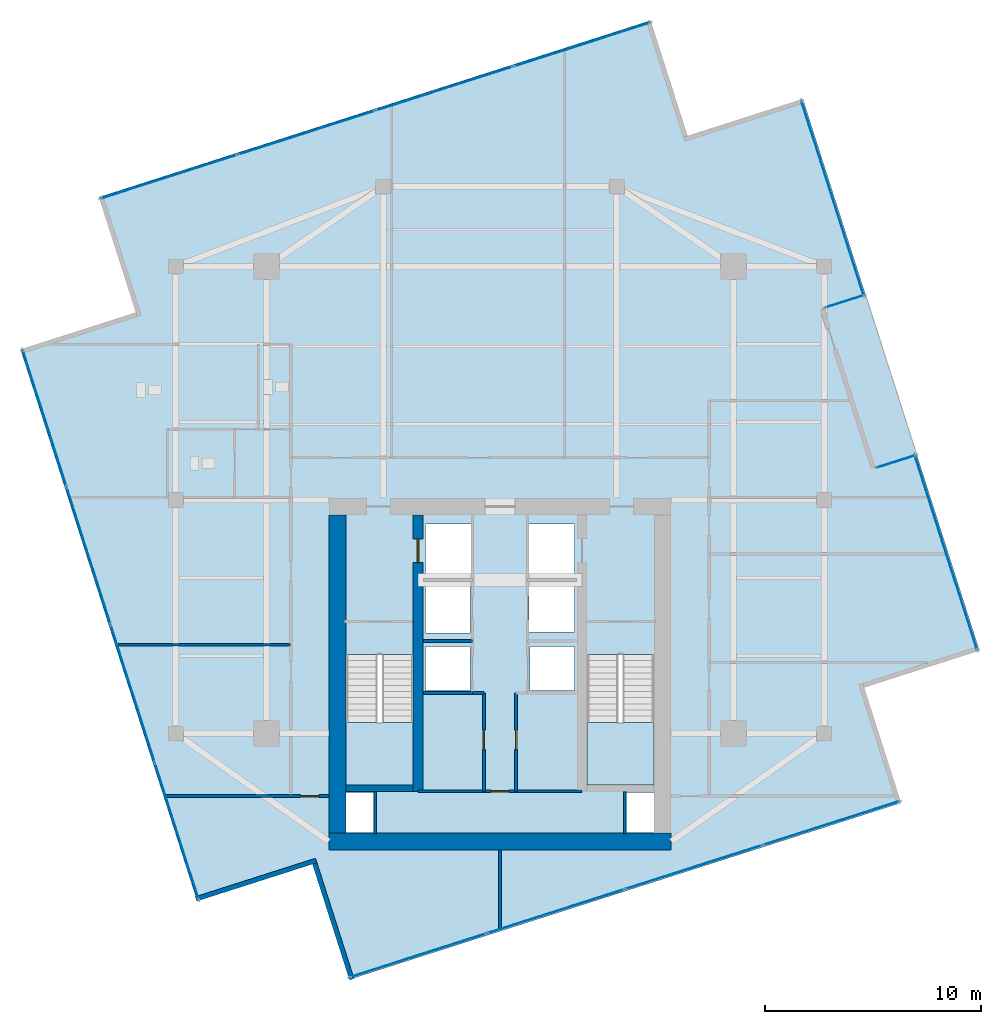
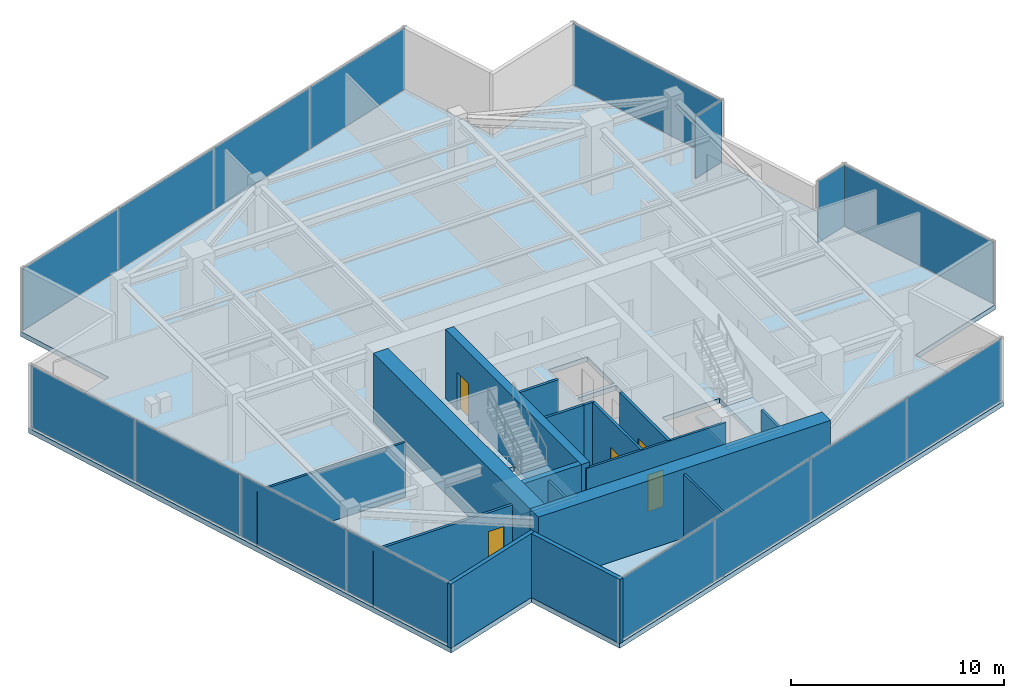
# One storey, part 17 of 21: 17 walls, 16 plates, 5 doors, 3 slabs, 5 openings, 9 elements without a shape of their own.
"""IFC4 building model written with IfcOpenShell, lengths in metres."""

from ifc_helpers import new_model, si_unit, direction, frame, frame_2d, origin, origin_2d, place, context, subcontext, project, spatial, polyline, rectangle, outline, extrude, source, transform, mapped, material, layer, layer_set, type_object, type_shapes, element, fill, aggregate, save


model = new_model("IFC4")

# Units and contexts
model_context = context("Model", 3, precision=1e-05, world=origin(), true_north=direction((0.0, 1.0)))
body_context = subcontext(model_context, "Body", "Model", "MODEL_VIEW")
ifc_project = project(units=[si_unit("LENGTHUNIT", "METRE"), si_unit("AREAUNIT", "SQUARE_METRE"), si_unit("VOLUMEUNIT", "CUBIC_METRE"), si_unit("PLANEANGLEUNIT", "RADIAN"), si_unit("MASSUNIT", "GRAM", prefix="KILO")], contexts=[model_context])

# Site, building, storey
site_placement = place(None, origin())
site = spatial("IfcSite", under=ifc_project, at=site_placement, CompositionType="ELEMENT")
building_placement = place(site_placement, origin())
building = spatial("IfcBuilding", under=site, at=building_placement, Name="Krantzveldt Concourse Tower", CompositionType="ELEMENT")
storey_placement = place(building_placement, frame((0.0, 0.0, 343.5)))
storey = spatial("IfcBuildingStorey", under=building, at=storey_placement, Name="L84", CompositionType="ELEMENT", Elevation=343.5)

# Stair, slab
ifc_material_1 = material(Name="Precast concrete C40/50", Category="concrete")
stair_type = type_object("IfcStairType", Name="STR-CORE-DOGLEG", PredefinedType="HALF_TURN_STAIR", material=ifc_material_1)
stair_1_placement = place(storey_placement, origin())
stair_1 = element("IfcStair", 1, at=stair_1_placement, inside=storey, type_object=stair_type, Name="L84 Protected Escape Stair ST-1", PredefinedType="HALF_TURN_STAIR")
ifc_layer_1 = layer(ifc_material_1, 0.199951171875, Name="Precast concrete C40/50", Category="concrete")
ifc_layer_set_1 = layer_set([ifc_layer_1], Name="Precast concrete C40/50 (SL-LANDING-200)")
slab_type_1 = type_object("IfcSlabType", Name="SL-LANDING-200", PredefinedType="LANDING", material=ifc_layer_set_1)
slab_1_placement = place(storey_placement, frame((0.0, 0.0, 1.77490234375)))
slab_1 = element("IfcSlab", 2, at=slab_1_placement, type_object=slab_type_1, Name="ST-1 landing 1", PredefinedType="LANDING", context=body_context, shape_type="SweptSolid", body=[
    extrude(outline(polyline([(28.8798828125, 16.4150390625), (28.8798828125, 13.52001953125), (31.97998046875, 13.52001953125), (31.97998046875, 16.4150390625), (28.8798828125, 16.4150390625)])), origin(), (0.0, 0.0, 1.0), 0.2001953125),
])
aggregate(stair_1, [slab_1])

stair_2_placement = place(storey_placement, origin())
stair_2 = element("IfcStair", 3, at=stair_2_placement, inside=storey, type_object=stair_type, Name="L84 Protected Escape Stair ST-2", PredefinedType="HALF_TURN_STAIR")
slab_2_placement = place(storey_placement, frame((0.0, 0.0, 1.77490234375)))
slab_2 = element("IfcSlab", 4, at=slab_2_placement, type_object=slab_type_1, Name="ST-2 landing 1", PredefinedType="LANDING", context=body_context, shape_type="SweptSolid", body=[
    extrude(outline(polyline([(40.02001953125, 16.4150390625), (40.02001953125, 13.52001953125), (43.1201171875, 13.52001953125), (43.1201171875, 16.4150390625), (40.02001953125, 16.4150390625)])), origin(), (0.0, 0.0, 1.0), 0.2001953125),
])
aggregate(stair_2, [slab_2])

# Slab
ifc_material_2 = material(Name="Concrete C40/50", Category="concrete")
ifc_layer_2 = layer(ifc_material_2, 0.280029296875, Name="Concrete C40/50", Category="concrete")
ifc_layer_set_2 = layer_set([ifc_layer_2], Name="Concrete C40/50 (SL-SL-TER280)")
slab_type_2 = type_object("IfcSlabType", Name="SL-SL-TER280", PredefinedType="FLOOR", material=ifc_layer_set_2)
slab_3_placement = place(storey_placement, frame((0.0, 0.0, -0.280029296875)))
element("IfcSlab", 5, at=slab_3_placement, inside=storey, type_object=slab_type_2, Name="SL-L84-MAIN", PredefinedType="FLOOR", context=body_context, shape_type="SweptSolid", body=[
    extrude(outline(polyline([(44.677001953125, 43.54736328125), (42.9697265625, 48.880615234375), (17.445556640625, 40.71044921875), (19.15283203125, 35.376953125), (13.8193359375, 33.669677734375), (21.98974609375, 8.1455078125), (27.322998046875, 9.852783203125), (29.0302734375, 4.519287109375), (54.554443359375, 12.689697265625), (52.84716796875, 18.023193359375), (58.1806640625, 19.730224609375), (50.01025390625, 45.254638671875), (44.677001953125, 43.54736328125)]), holes=[polyline([(28.8798828125, 19.547607421875), (28.8798828125, 13.52001953125), (31.97998046875, 13.52001953125), (31.97998046875, 19.547607421875), (28.8798828125, 19.547607421875)]), polyline([(40.02001953125, 19.547607421875), (40.02001953125, 13.52001953125), (43.1201171875, 13.52001953125), (43.1201171875, 19.547607421875), (40.02001953125, 19.547607421875)]), polyline([(32.550048828125, 23.10009765625), (34.64990234375, 23.10009765625), (34.64990234375, 25.60009765625), (32.550048828125, 25.60009765625), (32.550048828125, 23.10009765625)]), polyline([(37.35009765625, 23.10009765625), (39.449951171875, 23.10009765625), (39.449951171875, 25.60009765625), (37.35009765625, 25.60009765625), (37.35009765625, 23.10009765625)]), polyline([(37.35009765625, 20.60009765625), (39.449951171875, 20.60009765625), (39.449951171875, 22.89990234375), (37.35009765625, 22.89990234375), (37.35009765625, 20.60009765625)]), polyline([(32.550048828125, 20.550048828125), (34.6201171875, 20.550048828125), (34.6201171875, 22.89990234375), (32.550048828125, 22.89990234375), (32.550048828125, 20.550048828125)]), polyline([(32.550048828125, 17.8798828125), (34.6201171875, 17.8798828125), (34.6201171875, 19.919921875), (32.550048828125, 19.919921875), (32.550048828125, 17.8798828125)]), polyline([(37.3798828125, 17.8798828125), (39.449951171875, 17.8798828125), (39.449951171875, 19.919921875), (37.3798828125, 19.919921875), (37.3798828125, 17.8798828125)]), polyline([(28.8798828125, 11.320068359375), (30.139892578125, 11.320068359375), (30.139892578125, 13.159912109375), (28.8798828125, 13.159912109375), (28.8798828125, 11.320068359375)]), polyline([(41.860107421875, 11.320068359375), (43.1201171875, 11.320068359375), (43.1201171875, 13.159912109375), (41.860107421875, 13.159912109375), (41.860107421875, 11.320068359375)])]), origin(), (0.0, 0.0, 1.0), 0.280029296875),
])

# Curtain wall, plate
ifc_material_3 = material(Name="Anodised aluminium 6063-T6", Category="aluminium")
curtain_wall_type_1 = type_object("IfcCurtainWallType", Name="CW6", PredefinedType="USERDEFINED", material=ifc_material_3)
curtain_wall_1_placement = place(storey_placement, origin())
curtain_wall_1 = element("IfcCurtainWall", 6, at=curtain_wall_1_placement, inside=storey, type_object=curtain_wall_type_1, Name="CW-L84-TR11", ObjectType="UNITISED CURTAIN WALL", PredefinedType="USERDEFINED")
ifc_material_4 = material(Name="Bronze-tinted laminated low-E IGU glass", Category="glass")
ifc_layer_3 = layer(ifc_material_4, 0.031982421875, Name="Bronze-tinted laminated low-E IGU glass", Category="glass")
ifc_layer_set_3 = layer_set([ifc_layer_3], Name="Bronze-tinted laminated low-E IGU glass (CW-GLZ-32)")
plate_type = type_object("IfcPlateType", Name="CW-GLZ-32", PredefinedType="CURTAIN_PANEL", material=ifc_layer_set_3)
shared_shape_1 = source(origin(), body_context, "Body", "SweptSolid", [
    extrude(rectangle(XDim=1.860107421875, YDim=0.031982421875, at=origin_2d()), origin(), (0.0, 0.0, 1.0), 3.530029296875),
])
plate_1_placement = place(storey_placement, frame((54.3291015625, 28.482666015625, 0.06982421875), z_axis=(0.0, 0.0, 1.0), x_axis=(-0.952395521792, -0.304865167035, 0.0)))
plate_1 = element("IfcPlate", 7, at=plate_1_placement, type_object=plate_type, Name="CW-TERR panel 1.1", PredefinedType="CURTAIN_PANEL", context=body_context, shape_type="MappedRepresentation", body=[
    mapped(shared_shape_1, transform((0.0, 0.0, 0.0), x_axis=(1.0, 0.0, 0.0), y_axis=(0.0, 1.0, 0.0), z_axis=(0.0, 0.0, 1.0), scale=1.0)),
])
aggregate(curtain_wall_1, [plate_1])

curtain_wall_2_placement = place(storey_placement, origin())
curtain_wall_2 = element("IfcCurtainWall", 8, at=curtain_wall_2_placement, inside=storey, type_object=curtain_wall_type_1, Name="CW-L84-TR13", ObjectType="UNITISED CURTAIN WALL", PredefinedType="USERDEFINED")
plate_2_placement = place(storey_placement, frame((51.957275390625, 35.892333984375, 0.06982421875), z_axis=(0.0, 0.0, 1.0), x_axis=(0.952395986502, 0.304863715281, 0.0)))
plate_2 = element("IfcPlate", 9, at=plate_2_placement, type_object=plate_type, Name="CW-TERR panel 1.1", PredefinedType="CURTAIN_PANEL", context=body_context, shape_type="MappedRepresentation", body=[
    mapped(shared_shape_1, transform((0.0, 0.0, 0.0), x_axis=(1.0, 0.0, 0.0), y_axis=(0.0, 1.0, 0.0), z_axis=(0.0, 0.0, 1.0), scale=1.0)),
])
aggregate(curtain_wall_2, [plate_2])

# Curtain wall, plates
curtain_wall_type_2 = type_object("IfcCurtainWallType", Name="CW4", PredefinedType="USERDEFINED", material=ifc_material_3)
curtain_wall_3_placement = place(storey_placement, origin())
curtain_wall_3 = element("IfcCurtainWall", 10, at=curtain_wall_3_placement, inside=storey, type_object=curtain_wall_type_2, Name="CW-L84-F01", ObjectType="UNITISED CURTAIN WALL", PredefinedType="USERDEFINED")
shared_shape_2 = source(origin(), body_context, "Body", "SweptSolid", [
    extrude(rectangle(XDim=6.594970703125, YDim=0.031982421875, at=origin_2d()), origin(), (0.0, 0.0, 1.0), 3.530029296875),
])
plate_3_placement = place(storey_placement, frame((39.7900390625, 47.768310546875, 0.06982421875), z_axis=(0.0, 0.0, 1.0), x_axis=(-0.952395843376, -0.304864162408, 0.0)))
plate_3 = element("IfcPlate", 11, at=plate_3_placement, type_object=plate_type, Name="CW-Z56 panel 1.1", PredefinedType="CURTAIN_PANEL", context=body_context, shape_type="MappedRepresentation", body=[
    mapped(shared_shape_2, transform((0.0, 0.0, 0.0), x_axis=(1.0, 0.0, 0.0), y_axis=(0.0, 1.0, 0.0), z_axis=(0.0, 0.0, 1.0), scale=1.0)),
])
plate_4_placement = place(storey_placement, frame((20.68017578125, 41.6513671875, 0.06982421875), z_axis=(0.0, 0.0, 1.0), x_axis=(-0.952395843376, -0.304864162408, 0.0)))
plate_4 = element("IfcPlate", 12, at=plate_4_placement, type_object=plate_type, Name="CW-Z56 panel 4.1", PredefinedType="CURTAIN_PANEL", context=body_context, shape_type="MappedRepresentation", body=[
    mapped(shared_shape_2, transform((0.0, 0.0, 0.0), x_axis=(1.0, 0.0, 0.0), y_axis=(0.0, 1.0, 0.0), z_axis=(0.0, 0.0, 1.0), scale=1.0)),
])

curtain_wall_4_placement = place(storey_placement, origin())
curtain_wall_4 = element("IfcCurtainWall", 13, at=curtain_wall_4_placement, inside=storey, type_object=curtain_wall_type_2, Name="CW-L84-F04", ObjectType="UNITISED CURTAIN WALL", PredefinedType="USERDEFINED")
plate_5_placement = place(storey_placement, frame((14.931640625, 30.489990234375, 0.06982421875), z_axis=(0.0, 0.0, 1.0), x_axis=(0.304864162408, -0.952395843376, 0.0)))
plate_5 = element("IfcPlate", 14, at=plate_5_placement, type_object=plate_type, Name="CW-Z56 panel 1.1", PredefinedType="CURTAIN_PANEL", context=body_context, shape_type="MappedRepresentation", body=[
    mapped(shared_shape_2, transform((0.0, 0.0, 0.0), x_axis=(1.0, 0.0, 0.0), y_axis=(0.0, 1.0, 0.0), z_axis=(0.0, 0.0, 1.0), scale=1.0)),
])
plate_6_placement = place(storey_placement, frame((21.048828125, 11.380126953125, 0.06982421875), z_axis=(0.0, 0.0, 1.0), x_axis=(0.304864162408, -0.952395843376, 0.0)))
plate_6 = element("IfcPlate", 15, at=plate_6_placement, type_object=plate_type, Name="CW-Z56 panel 4.1", PredefinedType="CURTAIN_PANEL", context=body_context, shape_type="MappedRepresentation", body=[
    mapped(shared_shape_2, transform((0.0, 0.0, 0.0), x_axis=(1.0, 0.0, 0.0), y_axis=(0.0, 1.0, 0.0), z_axis=(0.0, 0.0, 1.0), scale=1.0)),
])

curtain_wall_5_placement = place(storey_placement, origin())
curtain_wall_5 = element("IfcCurtainWall", 16, at=curtain_wall_5_placement, inside=storey, type_object=curtain_wall_type_2, Name="CW-L84-F07", ObjectType="UNITISED CURTAIN WALL", PredefinedType="USERDEFINED")
plate_7_placement = place(storey_placement, frame((32.2099609375, 5.631591796875, 0.06982421875), z_axis=(0.0, 0.0, 1.0), x_axis=(0.952395843376, 0.304864162408, 0.0)))
plate_7 = element("IfcPlate", 17, at=plate_7_placement, type_object=plate_type, Name="CW-Z56 panel 1.1", PredefinedType="CURTAIN_PANEL", context=body_context, shape_type="MappedRepresentation", body=[
    mapped(shared_shape_2, transform((0.0, 0.0, 0.0), x_axis=(1.0, 0.0, 0.0), y_axis=(0.0, 1.0, 0.0), z_axis=(0.0, 0.0, 1.0), scale=1.0)),
])
plate_8_placement = place(storey_placement, frame((51.31982421875, 11.748779296875, 0.06982421875), z_axis=(0.0, 0.0, 1.0), x_axis=(0.952395843376, 0.304864162408, 0.0)))
plate_8 = element("IfcPlate", 18, at=plate_8_placement, type_object=plate_type, Name="CW-Z56 panel 4.1", PredefinedType="CURTAIN_PANEL", context=body_context, shape_type="MappedRepresentation", body=[
    mapped(shared_shape_2, transform((0.0, 0.0, 0.0), x_axis=(1.0, 0.0, 0.0), y_axis=(0.0, 1.0, 0.0), z_axis=(0.0, 0.0, 1.0), scale=1.0)),
])

# Plate
shared_shape_3 = source(origin(), body_context, "Body", "SweptSolid", [
    extrude(rectangle(XDim=6.6298828125, YDim=0.031982421875, at=origin_2d()), origin(), (0.0, 0.0, 1.0), 3.530029296875),
])
plate_9_placement = place(storey_placement, frame((33.425537109375, 45.731201171875, 0.06982421875), z_axis=(0.0, 0.0, 1.0), x_axis=(-0.952395843376, -0.304864162408, 0.0)))
plate_9 = element("IfcPlate", 19, at=plate_9_placement, type_object=plate_type, Name="CW-Z56 panel 2.1", PredefinedType="CURTAIN_PANEL", context=body_context, shape_type="MappedRepresentation", body=[
    mapped(shared_shape_3, transform((0.0, 0.0, 0.0), x_axis=(1.0, 0.0, 0.0), y_axis=(0.0, 1.0, 0.0), z_axis=(0.0, 0.0, 1.0), scale=1.0)),
])

plate_10_placement = place(storey_placement, frame((27.04443359375, 43.6884765625, 0.06982421875), z_axis=(0.0, 0.0, 1.0), x_axis=(-0.952395843376, -0.304864162408, 0.0)))
plate_10 = element("IfcPlate", 20, at=plate_10_placement, type_object=plate_type, Name="CW-Z56 panel 3.1", PredefinedType="CURTAIN_PANEL", context=body_context, shape_type="MappedRepresentation", body=[
    mapped(shared_shape_3, transform((0.0, 0.0, 0.0), x_axis=(1.0, 0.0, 0.0), y_axis=(0.0, 1.0, 0.0), z_axis=(0.0, 0.0, 1.0), scale=1.0)),
])

aggregate(curtain_wall_3, [plate_3, plate_9, plate_10, plate_4])

plate_11_placement = place(storey_placement, frame((16.968994140625, 24.12548828125, 0.06982421875), z_axis=(0.0, 0.0, 1.0), x_axis=(0.304864162408, -0.952395843376, 0.0)))
plate_11 = element("IfcPlate", 21, at=plate_11_placement, type_object=plate_type, Name="CW-Z56 panel 2.1", PredefinedType="CURTAIN_PANEL", context=body_context, shape_type="MappedRepresentation", body=[
    mapped(shared_shape_3, transform((0.0, 0.0, 0.0), x_axis=(1.0, 0.0, 0.0), y_axis=(0.0, 1.0, 0.0), z_axis=(0.0, 0.0, 1.0), scale=1.0)),
])

plate_12_placement = place(storey_placement, frame((19.011474609375, 17.744384765625, 0.06982421875), z_axis=(0.0, 0.0, 1.0), x_axis=(0.304864162408, -0.952395843376, 0.0)))
plate_12 = element("IfcPlate", 22, at=plate_12_placement, type_object=plate_type, Name="CW-Z56 panel 3.1", PredefinedType="CURTAIN_PANEL", context=body_context, shape_type="MappedRepresentation", body=[
    mapped(shared_shape_3, transform((0.0, 0.0, 0.0), x_axis=(1.0, 0.0, 0.0), y_axis=(0.0, 1.0, 0.0), z_axis=(0.0, 0.0, 1.0), scale=1.0)),
])

aggregate(curtain_wall_4, [plate_5, plate_11, plate_12, plate_6])

plate_13_placement = place(storey_placement, frame((38.574462890625, 7.6689453125, 0.06982421875), z_axis=(0.0, 0.0, 1.0), x_axis=(0.952395843376, 0.304864162408, 0.0)))
plate_13 = element("IfcPlate", 23, at=plate_13_placement, type_object=plate_type, Name="CW-Z56 panel 2.1", PredefinedType="CURTAIN_PANEL", context=body_context, shape_type="MappedRepresentation", body=[
    mapped(shared_shape_3, transform((0.0, 0.0, 0.0), x_axis=(1.0, 0.0, 0.0), y_axis=(0.0, 1.0, 0.0), z_axis=(0.0, 0.0, 1.0), scale=1.0)),
])

plate_14_placement = place(storey_placement, frame((44.95556640625, 9.71142578125, 0.06982421875), z_axis=(0.0, 0.0, 1.0), x_axis=(0.952395843376, 0.304864162408, 0.0)))
plate_14 = element("IfcPlate", 24, at=plate_14_placement, type_object=plate_type, Name="CW-Z56 panel 3.1", PredefinedType="CURTAIN_PANEL", context=body_context, shape_type="MappedRepresentation", body=[
    mapped(shared_shape_3, transform((0.0, 0.0, 0.0), x_axis=(1.0, 0.0, 0.0), y_axis=(0.0, 1.0, 0.0), z_axis=(0.0, 0.0, 1.0), scale=1.0)),
])

aggregate(curtain_wall_5, [plate_7, plate_13, plate_14, plate_8])

# Curtain wall, plate
curtain_wall_6_placement = place(storey_placement, origin())
curtain_wall_6 = element("IfcCurtainWall", 25, at=curtain_wall_6_placement, inside=storey, type_object=curtain_wall_type_2, Name="CW-L84-F10", ObjectType="UNITISED CURTAIN WALL", PredefinedType="USERDEFINED")
shared_shape_4 = source(origin(), body_context, "Body", "SweptSolid", [
    extrude(rectangle(XDim=9.4599609375, YDim=0.031982421875, at=origin_2d()), origin(), (0.0, 0.0, 1.0), 3.530029296875),
])
type_shapes(plate_type, [shared_shape_1, shared_shape_2, shared_shape_3, shared_shape_4])
plate_15_placement = place(storey_placement, frame((56.631591796875, 24.2744140625, 0.06982421875), z_axis=(0.0, 0.0, 1.0), x_axis=(-0.304864547135, 0.952395720224, 0.0)))
plate_15 = element("IfcPlate", 26, at=plate_15_placement, type_object=plate_type, Name="CW-Z56 panel 1.1", PredefinedType="CURTAIN_PANEL", context=body_context, shape_type="MappedRepresentation", body=[
    mapped(shared_shape_4, transform((0.0, 0.0, 0.0), x_axis=(1.0, 0.0, 0.0), y_axis=(0.0, 1.0, 0.0), z_axis=(0.0, 0.0, 1.0), scale=1.0)),
])
aggregate(curtain_wall_6, [plate_15])

curtain_wall_7_placement = place(storey_placement, origin())
curtain_wall_7 = element("IfcCurtainWall", 27, at=curtain_wall_7_placement, inside=storey, type_object=curtain_wall_type_2, Name="CW-L84-F14", ObjectType="UNITISED CURTAIN WALL", PredefinedType="USERDEFINED")
plate_16_placement = place(storey_placement, frame((51.387939453125, 40.655517578125, 0.06982421875), z_axis=(0.0, 0.0, 1.0), x_axis=(-0.304864547135, 0.952395720224, 0.0)))
plate_16 = element("IfcPlate", 28, at=plate_16_placement, type_object=plate_type, Name="CW-Z56 panel 1.1", PredefinedType="CURTAIN_PANEL", context=body_context, shape_type="MappedRepresentation", body=[
    mapped(shared_shape_4, transform((0.0, 0.0, 0.0), x_axis=(1.0, 0.0, 0.0), y_axis=(0.0, 1.0, 0.0), z_axis=(0.0, 0.0, 1.0), scale=1.0)),
])
aggregate(curtain_wall_7, [plate_16])

# Walls
ifc_layer_4 = layer(ifc_material_3, 0.219970703125, Name="Anodised aluminium 6063-T6", Category="aluminium")
ifc_layer_set_4 = layer_set([ifc_layer_4], Name="Anodised aluminium 6063-T6 (WL-EXT-NOTCH220)")
wall_type_1 = type_object("IfcWallType", Name="WL-EXT-NOTCH220", PredefinedType="ELEMENTEDWALL", material=ifc_layer_set_4)
wall_1_placement = place(storey_placement, frame((21.932373046875, 8.24267578125, 0.0), z_axis=(0.0, 0.0, 1.0), x_axis=(0.952391647481, 0.304877270074, 0.0)))
element("IfcWall", 29, at=wall_1_placement, inside=storey, type_object=wall_type_1, Name="EW-L84-NCH05", PredefinedType="ELEMENTEDWALL", context=body_context, shape_type="SweptSolid", body=[
    extrude(rectangle(XDim=5.844970703125, YDim=0.219970703125, at=frame_2d((2.92236328125, 0.0))), origin(), (0.0, 0.0, 1.0), 3.669921875),
])
wall_2_placement = place(storey_placement, frame((27.427734375, 9.88623046875, 0.0), z_axis=(0.0, 0.0, 1.0), x_axis=(0.304903286447, -0.952383318792, 0.0)))
element("IfcWall", 30, at=wall_2_placement, inside=storey, type_object=wall_type_1, Name="EW-L84-NCH06", PredefinedType="ELEMENTEDWALL", context=body_context, shape_type="SweptSolid", body=[
    extrude(rectangle(XDim=5.625, YDim=0.219970703125, at=frame_2d((2.8125, 0.0))), origin(), (0.0, 0.0, 1.0), 3.669921875),
])

# Wall, opening, door
ifc_material_5 = material(Name="Fire-rated gypsum plasterboard on steel stud", Category="steel")
ifc_layer_5 = layer(ifc_material_5, 0.1201171875, Name="Fire-rated gypsum plasterboard on steel stud", Category="steel")
ifc_layer_set_5 = layer_set([ifc_layer_5], Name="Fire-rated gypsum plasterboard on steel stud (WL-PART-120)")
wall_type_2 = type_object("IfcWallType", Name="WL-PART-120", PredefinedType="PARTITIONING", material=ifc_layer_set_5)
wall_3_placement = place(storey_placement, frame((32.2099609375, 13.219970703125, 0.0), z_axis=(0.0, 0.0, 1.0), x_axis=(1.0, 0.0, 0.0)))
wall_3 = element("IfcWall", 31, at=wall_3_placement, inside=storey, type_object=wall_type_2, Name="WP-L84-CS2H", PredefinedType="PARTITIONING", context=body_context, shape_type="SweptSolid", body=[
    extrude(rectangle(XDim=7.580078125, YDim=0.1201171875, at=frame_2d((3.7900390625, 0.0))), origin(), (0.0, 0.0, 1.0), 3.669921875),
])
opening_1_placement = place(wall_3_placement, frame((3.364990234375, 0.0, 0.0)))
opening_1 = element("IfcOpeningElement", 32, at=opening_1_placement, cuts=wall_3, Name="Opening D-IN085", PredefinedType="OPENING", context=body_context, shape_type="SweptSolid", body=[
    extrude(rectangle(XDim=0.85009765625, YDim=2.10009765625, at=frame_2d((0.425048828125, 1.050048828125))), frame((0.0, 0.070068359375, 0.0), z_axis=(0.0, -1.0, 0.0), x_axis=(1.0, 0.0, 0.0)), (0.0, 0.0, 1.0), 0.14013671875),
])
ifc_material_6 = material(Name="Hardwood timber", Category="wood")
door_type_1 = type_object("IfcDoorType", Name="DR-INT-850", OperationType="SINGLE_SWING_LEFT", PredefinedType="DOOR", material=ifc_material_6)
door_1_placement = place(opening_1_placement, origin())
door_1 = element("IfcDoor", 33, at=door_1_placement, inside=storey, type_object=door_type_1, Name="DR-L84-CSC1", OperationType="SINGLE_SWING_RIGHT", OverallHeight=2.10009765625, OverallWidth=0.85009765625, PredefinedType="DOOR", context=body_context, shape_type="SweptSolid", body=[
    extrude(rectangle(XDim=0.85009765625, YDim=2.10009765625, at=frame_2d((0.425048828125, 1.050048828125))), frame((0.0, 0.02490234375, 0.0), z_axis=(0.0, -1.0, 0.0), x_axis=(1.0, 0.0, 0.0)), (0.0, 0.0, 1.0), 0.050048828125),
])
fill(opening_1, door_1)

# Walls
wall_4_placement = place(storey_placement, frame((18.28955078125, 20.0, 0.0), z_axis=(0.0, 0.0, 1.0), x_axis=(1.0, 0.0, 0.0)))
element("IfcWall", 34, at=wall_4_placement, inside=storey, type_object=wall_type_2, Name="WP-L84-WD1", PredefinedType="PARTITIONING", context=body_context, shape_type="SweptSolid", body=[
    extrude(rectangle(XDim=8.030517578125, YDim=0.1201171875, at=frame_2d((4.01513671875, 0.0))), origin(), (0.0, 0.0, 1.0), 3.1298828125),
])
wall_5_placement = place(storey_placement, frame((36.0, 6.8447265625, 0.0), z_axis=(0.0, 0.0, 1.0), x_axis=(0.0, 1.0, 0.0)))
element("IfcWall", 35, at=wall_5_placement, inside=storey, type_object=wall_type_2, Name="WP-L84-SSMD", PredefinedType="PARTITIONING", context=body_context, shape_type="SweptSolid", body=[
    extrude(rectangle(XDim=3.6552734375, YDim=0.1201171875, at=frame_2d((1.82763671875, 0.0))), origin(), (0.0, 0.0, 1.0), 3.669921875),
])

# Wall, opening, door
ifc_layer_6 = layer(ifc_material_5, 0.139892578125, Name="Fire-rated gypsum plasterboard on steel stud", Category="steel")
ifc_layer_set_6 = layer_set([ifc_layer_6], Name="Fire-rated gypsum plasterboard on steel stud (WL-PART-140)")
wall_type_3 = type_object("IfcWallType", Name="WL-PART-140", PredefinedType="PARTITIONING", material=ifc_layer_set_6)
wall_6_placement = place(storey_placement, frame((20.5302734375, 13.0, 0.0), z_axis=(0.0, 0.0, 1.0), x_axis=(1.0, 0.0, 0.0)))
wall_6 = element("IfcWall", 36, at=wall_6_placement, inside=storey, type_object=wall_type_3, Name="WP-L84-CSBOTW", PredefinedType="PARTITIONING", context=body_context, shape_type="SweptSolid", body=[
    extrude(rectangle(XDim=7.5498046875, YDim=0.139892578125, at=frame_2d((3.77490234375, 0.0))), origin(), (0.0, 0.0, 1.0), 3.179931640625),
])
opening_2_placement = place(wall_6_placement, frame((6.244873046875, 0.0, 0.0)))
opening_2 = element("IfcOpeningElement", 37, at=opening_2_placement, cuts=wall_6, Name="Opening D-IN085", PredefinedType="OPENING", context=body_context, shape_type="SweptSolid", body=[
    extrude(rectangle(XDim=0.85009765625, YDim=2.10009765625, at=frame_2d((0.425048828125, 1.050048828125))), frame((0.0, 0.080078125, 0.0), z_axis=(0.0, -1.0, 0.0), x_axis=(1.0, 0.0, 0.0)), (0.0, 0.0, 1.0), 0.159912109375),
])
door_2_placement = place(opening_2_placement, origin())
door_2 = element("IfcDoor", 38, at=door_2_placement, inside=storey, type_object=door_type_1, Name="DR-L84-SR1", OperationType="SINGLE_SWING_LEFT", OverallHeight=2.10009765625, OverallWidth=0.85009765625, PredefinedType="DOOR", context=body_context, shape_type="SweptSolid", body=[
    extrude(rectangle(XDim=0.85009765625, YDim=2.10009765625, at=frame_2d((0.425048828125, 1.050048828125))), frame((0.0, 0.02490234375, 0.0), z_axis=(0.0, -1.0, 0.0), x_axis=(1.0, 0.0, 0.0)), (0.0, 0.0, 1.0), 0.050048828125),
])
fill(opening_2, door_2)

# Walls
ifc_layer_7 = layer(ifc_material_5, 0.139892578125, Name="Fire-rated gypsum plasterboard on steel stud", Category="steel")
ifc_layer_set_7 = layer_set([ifc_layer_7], Name="Fire-rated gypsum plasterboard on steel stud (WL-PART-FR140)")
wall_type_4 = type_object("IfcWallType", Name="WL-PART-FR140", PredefinedType="PARTITIONING", material=ifc_layer_set_7)
for number, where, z_axis, x_axis, name in (
    (39, (32.449951171875, 17.780029296875, 0.0), (0.0, 0.0, 1.0), (1.0, 0.0, 0.0), "WP-L84-DIVW2"),
    (40, (32.449951171875, 20.179931640625, 0.0), (0.0, 0.0, 1.0), (1.0, 0.0, 0.0), "WP-L84-DIVW3"),
):
    element("IfcWall", number, at=place(storey_placement, frame(where, z_axis=z_axis, x_axis=x_axis)), inside=storey, type_object=wall_type_4, Name=name, PredefinedType="PARTITIONING", context=body_context, shape_type="SweptSolid", body=[
        extrude(rectangle(XDim=2.27001953125, YDim=0.139892578125, at=frame_2d((1.135009765625, 0.0))), origin(), (0.0, 0.0, 1.0), 3.669921875),
    ])

# Wall, opening, door
wall_7_placement = place(storey_placement, frame((35.25, 13.219970703125, 0.0), z_axis=(0.0, 0.0, 1.0), x_axis=(0.0, 1.0, 0.0)))
wall_7 = element("IfcWall", 41, at=wall_7_placement, inside=storey, type_object=wall_type_4, Name="WP-L84-RECW", PredefinedType="PARTITIONING", context=body_context, shape_type="SweptSolid", body=[
    extrude(rectangle(XDim=4.56005859375, YDim=0.139892578125, at=frame_2d((2.280029296875, 0.0))), origin(), (0.0, 0.0, 1.0), 3.669921875),
])
opening_3_placement = place(wall_7_placement, frame((1.929931640625, 0.0, 0.0)))
opening_3 = element("IfcOpeningElement", 42, at=opening_3_placement, cuts=wall_7, Name="Opening D-FD090", PredefinedType="OPENING", context=body_context, shape_type="SweptSolid", body=[
    extrude(rectangle(XDim=0.89990234375, YDim=2.10009765625, at=frame_2d((0.449951171875, 1.050048828125))), frame((0.0, 0.080078125, 0.0), z_axis=(0.0, -1.0, 0.0), x_axis=(1.0, 0.0, 0.0)), (0.0, 0.0, 1.0), 0.159912109375),
])
door_type_2 = type_object("IfcDoorType", Name="DR-FD60-900", OperationType="SINGLE_SWING_LEFT", PredefinedType="DOOR", material=ifc_material_6)
door_3_placement = place(opening_3_placement, origin())
door_3 = element("IfcDoor", 43, at=door_3_placement, inside=storey, type_object=door_type_2, Name="DR-L84-RECW", OperationType="SINGLE_SWING_LEFT", OverallHeight=2.10009765625, OverallWidth=0.89990234375, PredefinedType="DOOR", context=body_context, shape_type="SweptSolid", body=[
    extrude(rectangle(XDim=0.89990234375, YDim=2.10009765625, at=frame_2d((0.449951171875, 1.050048828125))), frame((0.0, 0.02490234375, 0.0), z_axis=(0.0, -1.0, 0.0), x_axis=(1.0, 0.0, 0.0)), (0.0, 0.0, 1.0), 0.050048828125),
])
fill(opening_3, door_3)

# Wall
wall_8_placement = place(storey_placement, frame((34.719970703125, 17.780029296875, 0.0), z_axis=(0.0, 0.0, 1.0), x_axis=(1.0, 0.0, 0.0)))
element("IfcWall", 44, at=wall_8_placement, inside=storey, type_object=wall_type_4, Name="WP-L84-RECWN", PredefinedType="PARTITIONING", context=body_context, shape_type="SweptSolid", body=[
    extrude(rectangle(XDim=0.530029296875, YDim=0.139892578125, at=frame_2d((0.26513671875, 0.0))), origin(), (0.0, 0.0, 1.0), 3.669921875),
])

# Wall, opening, door
wall_9_placement = place(storey_placement, frame((36.75, 13.219970703125, 0.0), z_axis=(0.0, 0.0, 1.0), x_axis=(0.0, 1.0, 0.0)))
wall_9 = element("IfcWall", 45, at=wall_9_placement, inside=storey, type_object=wall_type_4, Name="WP-L84-RECE", PredefinedType="PARTITIONING", context=body_context, shape_type="SweptSolid", body=[
    extrude(rectangle(XDim=4.56005859375, YDim=0.139892578125, at=frame_2d((2.280029296875, 0.0))), origin(), (0.0, 0.0, 1.0), 3.669921875),
])
opening_4_placement = place(wall_9_placement, frame((1.929931640625, 0.0, 0.0)))
opening_4 = element("IfcOpeningElement", 46, at=opening_4_placement, cuts=wall_9, Name="Opening D-FD090", PredefinedType="OPENING", context=body_context, shape_type="SweptSolid", body=[
    extrude(rectangle(XDim=0.89990234375, YDim=2.10009765625, at=frame_2d((0.449951171875, 1.050048828125))), frame((0.0, 0.080078125, 0.0), z_axis=(0.0, -1.0, 0.0), x_axis=(1.0, 0.0, 0.0)), (0.0, 0.0, 1.0), 0.159912109375),
])
door_4_placement = place(opening_4_placement, origin())
door_4 = element("IfcDoor", 47, at=door_4_placement, inside=storey, type_object=door_type_2, Name="DR-L84-RECE", OperationType="SINGLE_SWING_RIGHT", OverallHeight=2.10009765625, OverallWidth=0.89990234375, PredefinedType="DOOR", context=body_context, shape_type="SweptSolid", body=[
    extrude(rectangle(XDim=0.89990234375, YDim=2.10009765625, at=frame_2d((0.449951171875, 1.050048828125))), frame((0.0, 0.02490234375, 0.0), z_axis=(0.0, -1.0, 0.0), x_axis=(1.0, 0.0, 0.0)), (0.0, 0.0, 1.0), 0.050048828125),
])
fill(opening_4, door_4)

# Walls
for number, where, z_axis, x_axis, name in (
    (48, (30.219970703125, 11.25, 0.0), (0.0, 0.0, 1.0), (0.0, 1.0, 0.0), "WP-L84-RSW"),
    (49, (41.780029296875, 11.25, 0.0), (0.0, 0.0, 1.0), (0.0, 1.0, 0.0), "WP-L84-RSE"),
):
    element("IfcWall", number, at=place(storey_placement, frame(where, z_axis=z_axis, x_axis=x_axis)), inside=storey, type_object=wall_type_4, Name=name, PredefinedType="PARTITIONING", context=body_context, shape_type="SweptSolid", body=[
        extrude(rectangle(XDim=1.969970703125, YDim=0.1201171875, at=frame_2d((0.98486328125, 0.0))), origin(), (0.0, 0.0, 1.0), 3.669921875),
    ])
ifc_material_7 = material(Name="Concrete C50/60", Category="concrete")
ifc_layer_8 = layer(ifc_material_7, 0.300048828125, Name="Concrete C50/60", Category="concrete")
ifc_layer_set_8 = layer_set([ifc_layer_8], Name="Concrete C50/60 (WL-SHEAR-300)")
wall_type_5 = type_object("IfcWallType", Name="WL-SHEAR-300", PredefinedType="SHEAR", material=ifc_layer_set_8)
wall_10_placement = place(storey_placement, frame((28.8798828125, 13.3701171875, 0.0), z_axis=(0.0, 0.0, 1.0), x_axis=(1.0, 0.0, 0.0)))
element("IfcWall", 50, at=wall_10_placement, inside=storey, type_object=wall_type_5, Name="CW-L84-ST1S", PredefinedType="SHEAR", context=body_context, shape_type="SweptSolid", body=[
    extrude(rectangle(XDim=3.10009765625, YDim=0.300048828125, at=frame_2d((1.550048828125, 0.0))), origin(), (0.0, 0.0, 1.0), 3.949951171875),
])

# Wall, opening, door
ifc_layer_9 = layer(ifc_material_7, 0.449951171875, Name="Concrete C50/60", Category="concrete")
ifc_layer_set_9 = layer_set([ifc_layer_9], Name="Concrete C50/60 (WL-SHEAR-450)")
wall_type_6 = type_object("IfcWallType", Name="WL-SHEAR-450", PredefinedType="SHEAR", material=ifc_layer_set_9)
wall_11_placement = place(storey_placement, frame((32.205078125, 13.219970703125, 0.0), z_axis=(0.0, 0.0, 1.0), x_axis=(0.0, 1.0, 0.0)))
wall_11 = element("IfcWall", 51, at=wall_11_placement, inside=storey, type_object=wall_type_6, Name="CW-L84-IW", PredefinedType="SHEAR", context=body_context, shape_type="SweptSolid", body=[
    extrude(rectangle(XDim=12.780029296875, YDim=0.449951171875, at=frame_2d((6.39013671875, 0.0))), origin(), (0.0, 0.0, 1.0), 3.949951171875),
])
opening_5_placement = place(wall_11_placement, frame((10.580078125, 0.0, 0.0)))
opening_5 = element("IfcOpeningElement", 52, at=opening_5_placement, cuts=wall_11, Name="Opening LD", PredefinedType="OPENING", context=body_context, shape_type="SweptSolid", body=[
    extrude(rectangle(XDim=1.10009765625, YDim=2.14990234375, at=frame_2d((0.550048828125, 1.074951171875))), frame((0.0, 0.23486328125, 0.0), z_axis=(0.0, -1.0, 0.0), x_axis=(1.0, 0.0, 0.0)), (0.0, 0.0, 1.0), 0.469970703125),
])
ifc_material_8 = material(Name="Stainless steel 316L", Category="steel")
door_type_3 = type_object("IfcDoorType", Name="DR-SLIDE-LD1100", OperationType="DOUBLE_DOOR_SLIDING", PredefinedType="DOOR", material=ifc_material_8)
door_5_placement = place(opening_5_placement, origin())
door_5 = element("IfcDoor", 53, at=door_5_placement, inside=storey, type_object=door_type_3, Name="LD-L84-FL1", OperationType="DOUBLE_DOOR_SLIDING", OverallHeight=2.14990234375, OverallWidth=1.10009765625, PredefinedType="DOOR", context=body_context, shape_type="SweptSolid", body=[
    extrude(rectangle(XDim=1.10009765625, YDim=2.14990234375, at=frame_2d((0.550048828125, 1.074951171875))), frame((0.0, 0.02490234375, 0.0), z_axis=(0.0, -1.0, 0.0), x_axis=(1.0, 0.0, 0.0)), (0.0, 0.0, 1.0), 0.050048828125),
])
fill(opening_5, door_5)

# Walls
ifc_material_9 = material(Name="Concrete C60/75", Category="concrete")
ifc_layer_10 = layer(ifc_material_9, 0.800048828125, Name="Concrete C60/75", Category="concrete")
ifc_layer_set_10 = layer_set([ifc_layer_10], Name="Concrete C60/75 (WL-SHEAR-800)")
wall_type_7 = type_object("IfcWallType", Name="WL-SHEAR-800", PredefinedType="SHEAR", material=ifc_layer_set_10)
wall_12_placement = place(storey_placement, frame((28.080078125, 10.89990234375, 0.0), z_axis=(0.0, 0.0, 1.0), x_axis=(1.0, 0.0, 0.0)))
element("IfcWall", 54, at=wall_12_placement, inside=storey, type_object=wall_type_7, Name="CW-L84-S", PredefinedType="SHEAR", context=body_context, shape_type="SweptSolid", body=[
    extrude(rectangle(XDim=15.83984375, YDim=0.800048828125, at=frame_2d((7.919921875, 0.0))), origin(), (0.0, 0.0, 1.0), 3.949951171875),
])
wall_13_placement = place(storey_placement, frame((28.47998046875, 11.300048828125, 0.0), z_axis=(0.0, 0.0, 1.0), x_axis=(0.0, 1.0, 0.0)))
element("IfcWall", 55, at=wall_13_placement, inside=storey, type_object=wall_type_7, Name="CW-L84-W", PredefinedType="SHEAR", context=body_context, shape_type="SweptSolid", body=[
    extrude(rectangle(XDim=14.699951171875, YDim=0.800048828125, at=frame_2d((7.35009765625, 0.0))), origin(), (0.0, 0.0, 1.0), 3.949951171875),
])

save(model, "model.ifc")
